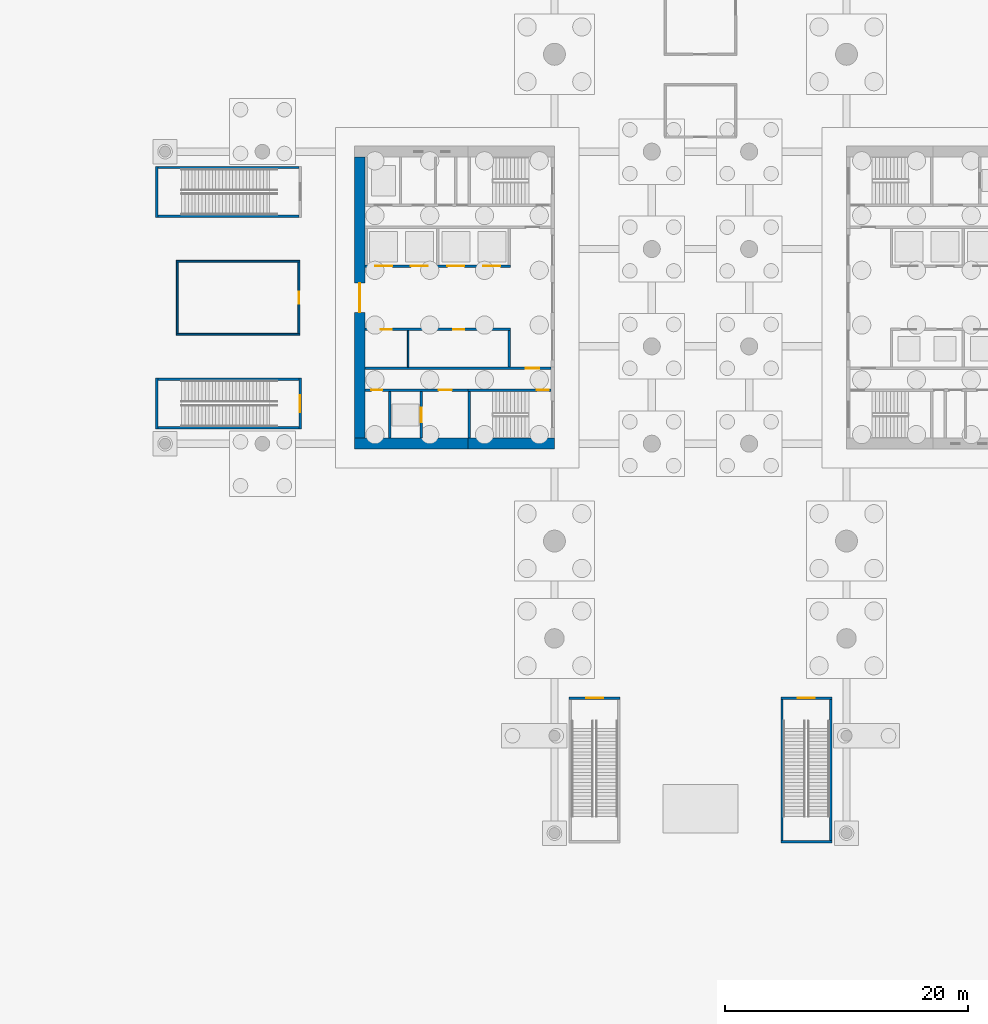
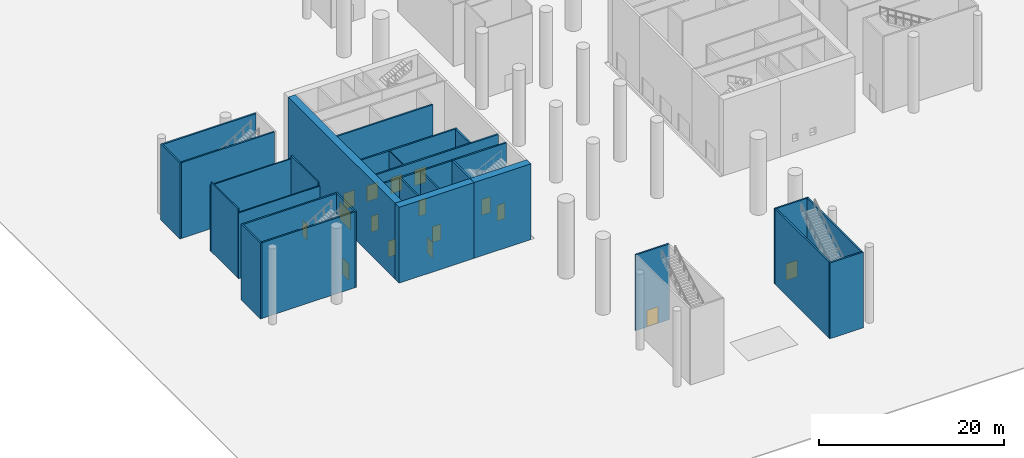
# One storey, part 4 of 14: 29 walls, 16 doors, 16 openings.
"""IFC4 building model written with IfcOpenShell, lengths in metres."""

from ifc_helpers import new_model, si_unit, direction, frame, frame_2d, origin, place, context, subcontext, project, spatial, rectangle, extrude, material, layer, layer_set, constituent, constituent_set, type_object, element, fill, save


model = new_model("IFC4")

# Units and contexts
model_context = context("Model", 3, precision=1e-05, world=origin(), true_north=direction((0.0, 1.0)))
body_context = subcontext(model_context, "Body", "Model", "MODEL_VIEW")
ifc_project = project(units=[si_unit("LENGTHUNIT", "METRE"), si_unit("AREAUNIT", "SQUARE_METRE"), si_unit("VOLUMEUNIT", "CUBIC_METRE"), si_unit("PLANEANGLEUNIT", "RADIAN"), si_unit("MASSUNIT", "GRAM", prefix="KILO")], contexts=[model_context])

# Site, building, storey
site_placement = place(None, origin())
site = spatial("IfcSite", under=ifc_project, at=site_placement, CompositionType="ELEMENT")
building_placement = place(site_placement, origin())
building = spatial("IfcBuilding", under=site, at=building_placement, Name="Crosswind Convention Tower", CompositionType="ELEMENT")
storey_placement = place(building_placement, origin())
storey = spatial("IfcBuildingStorey", under=building, at=storey_placement, Name="L00", CompositionType="ELEMENT", Elevation=0.0)

# Walls
ifc_material_1 = material(Name="Plasterboard partition", Category="gypsum")
ifc_layer_1 = layer(ifc_material_1, 0.14990234375)
ifc_layer_set_1 = layer_set([ifc_layer_1], Name="CORRIDOR WALL 150")
wall_type_1 = type_object("IfcWallType", Name="CORRIDOR WALL 150", PredefinedType="PARTITIONING", material=ifc_layer_set_1)
for number, where, z_axis, x_axis, name in (
    (1, (81.925048828125, 97.0, 0.0), (0.0, 0.0, 1.0), (1.0, 0.0, 0.0), "Corridor Wall 9"),
    (2, (81.925048828125, 103.0, 0.0), (0.0, 0.0, 1.0), (1.0, 0.0, 0.0), "Corridor Wall 11"),
):
    element("IfcWall", number, at=place(storey_placement, frame(where, z_axis=z_axis, x_axis=x_axis)), inside=storey, type_object=wall_type_1, Name=name, PredefinedType="PARTITIONING", context=body_context, shape_type="SweptSolid", body=[
        extrude(rectangle(XDim=10.14990234375, YDim=0.14990234375, at=frame_2d((5.074951171875, 0.0))), origin(), (0.0, 0.0, 1.0), 8.699951171875),
    ])
wall_1_placement = place(storey_placement, frame((82.0, 97.074951171875, 0.0), z_axis=(0.0, 0.0, 1.0), x_axis=(0.0, 1.0, 0.0)))
element("IfcWall", 3, at=wall_1_placement, inside=storey, type_object=wall_type_1, Name="Corridor Wall 27", PredefinedType="PARTITIONING", context=body_context, shape_type="SweptSolid", body=[
    extrude(rectangle(XDim=5.85009765625, YDim=0.14990234375, at=frame_2d((2.925048828125, 0.0))), origin(), (0.0, 0.0, 1.0), 9.139892578125),
])

# Wall, opening, door
wall_2_placement = place(storey_placement, frame((92.0, 97.074951171875, 0.0), z_axis=(0.0, 0.0, 1.0), x_axis=(0.0, 1.0, 0.0)))
wall_2 = element("IfcWall", 4, at=wall_2_placement, inside=storey, type_object=wall_type_1, Name="Corridor Wall 28", PredefinedType="PARTITIONING", context=body_context, shape_type="SweptSolid", body=[
    extrude(rectangle(XDim=5.85009765625, YDim=0.14990234375, at=frame_2d((2.925048828125, 0.0))), origin(), (0.0, 0.0, 1.0), 9.139892578125),
])
opening_1_placement = place(wall_2_placement, frame((2.425048828125, 0.0, 0.0)))
opening_1 = element("IfcOpeningElement", 5, at=opening_1_placement, cuts=wall_2, Name="Opening 00.005", PredefinedType="OPENING", context=body_context, shape_type="SweptSolid", body=[
    extrude(rectangle(XDim=1.0, YDim=2.10009765625, at=frame_2d((0.5, 1.050048828125))), frame((0.0, 0.0849609375, 0.0), z_axis=(0.0, -1.0, 0.0), x_axis=(1.0, 0.0, 0.0)), (0.0, 0.0, 1.0), 0.169921875),
])
ifc_material_2 = material(Name="Timber fire door", Category="wood")
door_type_1 = type_object("IfcDoorType", Name="MEETING ROOM DOOR 1000X2100", OperationType="NOTDEFINED", PredefinedType="DOOR", material=ifc_material_2)
door_1_placement = place(opening_1_placement, origin())
door_1 = element("IfcDoor", 6, at=door_1_placement, inside=storey, type_object=door_type_1, Name="Door 00.005", ObjectType="D13", OperationType="SINGLE_SWING_RIGHT", OverallHeight=2.10009765625, OverallWidth=1.0, PredefinedType="DOOR", context=body_context, shape_type="SweptSolid", body=[
    extrude(rectangle(XDim=1.0, YDim=2.10009765625, at=frame_2d((0.5, 1.050048828125))), frame((0.0, 0.02490234375, 0.0), z_axis=(0.0, -1.0, 0.0), x_axis=(1.0, 0.0, 0.0)), (0.0, 0.0, 1.0), 0.050048828125),
])
fill(opening_1, door_1)

# Wall
ifc_material_3 = material(Name="Concrete C50/60", Category="concrete")
ifc_layer_2 = layer(ifc_material_3, 0.199951171875)
ifc_layer_set_2 = layer_set([ifc_layer_2], Name="Concrete C50/60")
wall_type_2 = type_object("IfcWallType", Name="Concrete shaft and stair wall 200", PredefinedType="SHEAR", material=ifc_layer_set_2)
wall_3_placement = place(storey_placement, frame((109.300048828125, 97.300048828125, 0.0), z_axis=(0.0, 0.0, 1.0), x_axis=(0.0, -1.0, 0.0)))
element("IfcWall", 7, at=wall_3_placement, inside=storey, type_object=wall_type_2, Name="Wall RPEND W L00", PredefinedType="SHEAR", context=body_context, shape_type="SweptSolid", body=[
    extrude(rectangle(XDim=3.0, YDim=0.199951171875, at=frame_2d((1.5, 0.0))), origin(), (0.0, 0.0, 1.0), 10.0),
])

# Wall, openings, doors
wall_4_placement = place(storey_placement, frame((109.39990234375, 97.39990234375, 0.0), z_axis=(0.0, 0.0, 1.0), x_axis=(-1.0, 0.0, 0.0)))
wall_4 = element("IfcWall", 8, at=wall_4_placement, inside=storey, type_object=wall_type_2, Name="Wall RPFRONT W L00", PredefinedType="SHEAR", context=body_context, shape_type="SweptSolid", body=[
    extrude(rectangle(XDim=11.949951171875, YDim=0.199951171875, at=frame_2d((5.97509765625, 0.0))), origin(), (0.0, 0.0, 1.0), 10.0),
])
opening_2_placement = place(wall_4_placement, frame((3.831298828125, 0.0, 0.0)))
opening_2 = element("IfcOpeningElement", 9, at=opening_2_placement, cuts=wall_4, Name="Opening D106", PredefinedType="OPENING", context=body_context, shape_type="SweptSolid", body=[
    extrude(rectangle(XDim=0.89990234375, YDim=2.10009765625, at=frame_2d((0.449951171875, 1.050048828125))), frame((0.0, 0.10986328125, 0.0), z_axis=(0.0, -1.0, 0.0), x_axis=(1.0, 0.0, 0.0)), (0.0, 0.0, 1.0), 0.219970703125),
])
opening_3_placement = place(wall_4_placement, frame((9.768798828125, 0.0, 0.0)))
opening_3 = element("IfcOpeningElement", 10, at=opening_3_placement, cuts=wall_4, Name="Opening D106", PredefinedType="OPENING", context=body_context, shape_type="SweptSolid", body=[
    extrude(rectangle(XDim=0.89990234375, YDim=2.10009765625, at=frame_2d((0.449951171875, 1.050048828125))), frame((0.0, 0.10986328125, 0.0), z_axis=(0.0, -1.0, 0.0), x_axis=(1.0, 0.0, 0.0)), (0.0, 0.0, 1.0), 0.219970703125),
])
ifc_material_4 = material(Name="Timber door", Category="wood")
door_type_2 = type_object("IfcDoorType", Name="Single leaf door 900x2100", OperationType="NOTDEFINED", PredefinedType="DOOR", material=ifc_material_4)
door_2_placement = place(opening_2_placement, origin())
door_2 = element("IfcDoor", 11, at=door_2_placement, inside=storey, type_object=door_type_2, Name="Door to security room L00", ObjectType="D106", OperationType="SINGLE_SWING_RIGHT", OverallHeight=2.10009765625, OverallWidth=0.89990234375, PredefinedType="DOOR", context=body_context, shape_type="SweptSolid", body=[
    extrude(rectangle(XDim=0.89990234375, YDim=2.10009765625, at=frame_2d((0.449951171875, 1.050048828125))), frame((0.0, 0.02490234375, 0.0), z_axis=(0.0, -1.0, 0.0), x_axis=(1.0, 0.0, 0.0)), (0.0, 0.0, 1.0), 0.050048828125),
])
fill(opening_2, door_2)
door_3_placement = place(opening_3_placement, origin())
door_3 = element("IfcDoor", 12, at=door_3_placement, inside=storey, type_object=door_type_2, Name="Door to public wc L00", ObjectType="D106", OperationType="SINGLE_SWING_RIGHT", OverallHeight=2.10009765625, OverallWidth=0.89990234375, PredefinedType="DOOR", context=body_context, shape_type="SweptSolid", body=[
    extrude(rectangle(XDim=0.89990234375, YDim=2.10009765625, at=frame_2d((0.449951171875, 1.050048828125))), frame((0.0, 0.02490234375, 0.0), z_axis=(0.0, -1.0, 0.0), x_axis=(1.0, 0.0, 0.0)), (0.0, 0.0, 1.0), 0.050048828125),
])
fill(opening_3, door_3)

wall_5_placement = place(storey_placement, frame((109.39990234375, 102.60009765625, 0.0), z_axis=(0.0, 0.0, 1.0), x_axis=(-1.0, 0.0, 0.0)))
wall_5 = element("IfcWall", 13, at=wall_5_placement, inside=storey, type_object=wall_type_2, Name="Wall RMFRONT W L00", PredefinedType="SHEAR", context=body_context, shape_type="SweptSolid", body=[
    extrude(rectangle(XDim=11.949951171875, YDim=0.199951171875, at=frame_2d((5.97509765625, 0.0))), origin(), (0.0, 0.0, 1.0), 10.0),
])
opening_4_placement = place(wall_5_placement, frame((0.85009765625, 0.0, 0.0)))
opening_4 = element("IfcOpeningElement", 14, at=opening_4_placement, cuts=wall_5, Name="Opening LD2", PredefinedType="OPENING", context=body_context, shape_type="SweptSolid", body=[
    extrude(rectangle(XDim=1.39990234375, YDim=2.10009765625, at=frame_2d((0.699951171875, 1.050048828125))), frame((0.0, 0.10986328125, 0.0), z_axis=(0.0, -1.0, 0.0), x_axis=(1.0, 0.0, 0.0)), (0.0, 0.0, 1.0), 0.219970703125),
])
opening_5_placement = place(wall_5_placement, frame((3.800048828125, 0.0, 0.0)))
opening_5 = element("IfcOpeningElement", 15, at=opening_5_placement, cuts=wall_5, Name="Opening LD2", PredefinedType="OPENING", context=body_context, shape_type="SweptSolid", body=[
    extrude(rectangle(XDim=1.39990234375, YDim=2.10009765625, at=frame_2d((0.699951171875, 1.050048828125))), frame((0.0, 0.10986328125, 0.0), z_axis=(0.0, -1.0, 0.0), x_axis=(1.0, 0.0, 0.0)), (0.0, 0.0, 1.0), 0.219970703125),
])
opening_6_placement = place(wall_5_placement, frame((6.800048828125, 0.0, 0.0)))
opening_6 = element("IfcOpeningElement", 16, at=opening_6_placement, cuts=wall_5, Name="Opening LD2", PredefinedType="OPENING", context=body_context, shape_type="SweptSolid", body=[
    extrude(rectangle(XDim=1.39990234375, YDim=2.10009765625, at=frame_2d((0.699951171875, 1.050048828125))), frame((0.0, 0.10986328125, 0.0), z_axis=(0.0, -1.0, 0.0), x_axis=(1.0, 0.0, 0.0)), (0.0, 0.0, 1.0), 0.219970703125),
])
opening_7_placement = place(wall_5_placement, frame((9.72509765625, 0.0, 0.0)))
opening_7 = element("IfcOpeningElement", 17, at=opening_7_placement, cuts=wall_5, Name="Opening LD2", PredefinedType="OPENING", context=body_context, shape_type="SweptSolid", body=[
    extrude(rectangle(XDim=1.39990234375, YDim=2.10009765625, at=frame_2d((0.699951171875, 1.050048828125))), frame((0.0, 0.10986328125, 0.0), z_axis=(0.0, -1.0, 0.0), x_axis=(1.0, 0.0, 0.0)), (0.0, 0.0, 1.0), 0.219970703125),
])
ifc_material_5 = material(Name="Stainless steel", Category="steel")
door_type_3 = type_object("IfcDoorType", Name="Lift landing door 1400x2100", OperationType="DOUBLE_DOOR_SLIDING", PredefinedType="DOOR", material=ifc_material_5)
door_4_placement = place(opening_4_placement, origin())
door_4 = element("IfcDoor", 18, at=door_4_placement, inside=storey, type_object=door_type_3, Name="Landing door A5 L00", ObjectType="LD2", OperationType="DOUBLE_DOOR_SLIDING", OverallHeight=2.10009765625, OverallWidth=1.39990234375, PredefinedType="DOOR", context=body_context, shape_type="SweptSolid", body=[
    extrude(rectangle(XDim=1.39990234375, YDim=2.10009765625, at=frame_2d((0.699951171875, 1.050048828125))), frame((0.0, 0.02490234375, 0.0), z_axis=(0.0, -1.0, 0.0), x_axis=(1.0, 0.0, 0.0)), (0.0, 0.0, 1.0), 0.050048828125),
])
fill(opening_4, door_4)
door_5_placement = place(opening_5_placement, origin())
door_5 = element("IfcDoor", 19, at=door_5_placement, inside=storey, type_object=door_type_3, Name="Landing door A6 L00", ObjectType="LD2", OperationType="DOUBLE_DOOR_SLIDING", OverallHeight=2.10009765625, OverallWidth=1.39990234375, PredefinedType="DOOR", context=body_context, shape_type="SweptSolid", body=[
    extrude(rectangle(XDim=1.39990234375, YDim=2.10009765625, at=frame_2d((0.699951171875, 1.050048828125))), frame((0.0, 0.02490234375, 0.0), z_axis=(0.0, -1.0, 0.0), x_axis=(1.0, 0.0, 0.0)), (0.0, 0.0, 1.0), 0.050048828125),
])
fill(opening_5, door_5)
door_6_placement = place(opening_6_placement, origin())
door_6 = element("IfcDoor", 20, at=door_6_placement, inside=storey, type_object=door_type_3, Name="Landing door A7 L00", ObjectType="LD2", OperationType="DOUBLE_DOOR_SLIDING", OverallHeight=2.10009765625, OverallWidth=1.39990234375, PredefinedType="DOOR", context=body_context, shape_type="SweptSolid", body=[
    extrude(rectangle(XDim=1.39990234375, YDim=2.10009765625, at=frame_2d((0.699951171875, 1.050048828125))), frame((0.0, 0.02490234375, 0.0), z_axis=(0.0, -1.0, 0.0), x_axis=(1.0, 0.0, 0.0)), (0.0, 0.0, 1.0), 0.050048828125),
])
fill(opening_6, door_6)
door_7_placement = place(opening_7_placement, origin())
door_7 = element("IfcDoor", 21, at=door_7_placement, inside=storey, type_object=door_type_3, Name="Landing door A8 L00", ObjectType="LD2", OperationType="DOUBLE_DOOR_SLIDING", OverallHeight=2.10009765625, OverallWidth=1.39990234375, PredefinedType="DOOR", context=body_context, shape_type="SweptSolid", body=[
    extrude(rectangle(XDim=1.39990234375, YDim=2.10009765625, at=frame_2d((0.699951171875, 1.050048828125))), frame((0.0, 0.02490234375, 0.0), z_axis=(0.0, -1.0, 0.0), x_axis=(1.0, 0.0, 0.0)), (0.0, 0.0, 1.0), 0.050048828125),
])
fill(opening_7, door_7)

# Wall, opening, door
wall_6_placement = place(storey_placement, frame((112.699951171875, 94.199951171875, 0.0), z_axis=(0.0, 0.0, 1.0), x_axis=(-1.0, 0.0, 0.0)))
wall_6 = element("IfcWall", 22, at=wall_6_placement, inside=storey, type_object=wall_type_2, Name="Wall HP W L00", PredefinedType="SHEAR", context=body_context, shape_type="SweptSolid", body=[
    extrude(rectangle(XDim=15.25, YDim=0.199951171875, at=frame_2d((7.625, 0.0))), origin(), (0.0, 0.0, 1.0), 10.0),
])
opening_8_placement = place(wall_6_placement, frame((0.949951171875, 0.0, 0.0)))
opening_8 = element("IfcOpeningElement", 23, at=opening_8_placement, cuts=wall_6, Name="Opening D104", PredefinedType="OPENING", context=body_context, shape_type="SweptSolid", body=[
    extrude(rectangle(XDim=1.10009765625, YDim=2.10009765625, at=frame_2d((0.550048828125, 1.050048828125))), frame((0.0, 0.10986328125, 0.0), z_axis=(0.0, -1.0, 0.0), x_axis=(1.0, 0.0, 0.0)), (0.0, 0.0, 1.0), 0.219970703125),
])
ifc_material_6 = material(Name="Steel fire door", Category="steel")
door_type_4 = type_object("IfcDoorType", Name="Fire-rated single door 1100x2100", OperationType="NOTDEFINED", PredefinedType="DOOR", material=ifc_material_6)
door_8_placement = place(opening_8_placement, origin())
door_8 = element("IfcDoor", 24, at=door_8_placement, inside=storey, type_object=door_type_4, Name="Corridor door L00", ObjectType="D104", OperationType="SINGLE_SWING_LEFT", OverallHeight=2.10009765625, OverallWidth=1.10009765625, PredefinedType="DOOR", context=body_context, shape_type="SweptSolid", body=[
    extrude(rectangle(XDim=1.10009765625, YDim=2.10009765625, at=frame_2d((0.550048828125, 1.050048828125))), frame((0.0, 0.02490234375, 0.0), z_axis=(0.0, -1.0, 0.0), x_axis=(1.0, 0.0, 0.0)), (0.0, 0.0, 1.0), 0.050048828125),
])
fill(opening_8, door_8)

# Wall
wall_7_placement = place(storey_placement, frame((106.0, 92.300048828125, 0.0), z_axis=(0.0, 0.0, 1.0), x_axis=(0.0, -1.0, 0.0)))
element("IfcWall", 25, at=wall_7_placement, inside=storey, type_object=wall_type_2, Name="Wall PSE W L00", PredefinedType="SHEAR", context=body_context, shape_type="SweptSolid", body=[
    extrude(rectangle(XDim=3.85009765625, YDim=0.199951171875, at=frame_2d((1.925048828125, 0.0))), origin(), (0.0, 0.0, 1.0), 10.0),
])

# Wall, opening, door
wall_8_placement = place(storey_placement, frame((102.050048828125, 92.300048828125, 0.0), z_axis=(0.0, 0.0, 1.0), x_axis=(0.0, -1.0, 0.0)))
wall_8 = element("IfcWall", 26, at=wall_8_placement, inside=storey, type_object=wall_type_2, Name="Wall PFLW W L00", PredefinedType="SHEAR", context=body_context, shape_type="SweptSolid", body=[
    extrude(rectangle(XDim=3.85009765625, YDim=0.199951171875, at=frame_2d((1.925048828125, 0.0))), origin(), (0.0, 0.0, 1.0), 10.0),
])
opening_9_placement = place(wall_8_placement, frame((1.324951171875, 0.0, 0.0)))
opening_9 = element("IfcOpeningElement", 27, at=opening_9_placement, cuts=wall_8, Name="Opening LD1", PredefinedType="OPENING", context=body_context, shape_type="SweptSolid", body=[
    extrude(rectangle(XDim=1.199951171875, YDim=2.10009765625, at=frame_2d((0.60009765625, 1.050048828125))), frame((0.0, 0.10986328125, 0.0), z_axis=(0.0, -1.0, 0.0), x_axis=(1.0, 0.0, 0.0)), (0.0, 0.0, 1.0), 0.219970703125),
])
door_type_5 = type_object("IfcDoorType", Name="Lift landing door 1200x2100", OperationType="DOUBLE_DOOR_SLIDING", PredefinedType="DOOR", material=ifc_material_5)
door_9_placement = place(opening_9_placement, origin())
door_9 = element("IfcDoor", 28, at=door_9_placement, inside=storey, type_object=door_type_5, Name="Landing door FF2 L00", ObjectType="LD1", OperationType="DOUBLE_DOOR_SLIDING", OverallHeight=2.10009765625, OverallWidth=1.199951171875, PredefinedType="DOOR", context=body_context, shape_type="SweptSolid", body=[
    extrude(rectangle(XDim=1.199951171875, YDim=2.10009765625, at=frame_2d((0.60009765625, 1.050048828125))), frame((0.0, 0.02490234375, 0.0), z_axis=(0.0, -1.0, 0.0), x_axis=(1.0, 0.0, 0.0)), (0.0, 0.0, 1.0), 0.050048828125),
])
fill(opening_9, door_9)

# Wall
wall_9_placement = place(storey_placement, frame((99.449951171875, 92.300048828125, 0.0), z_axis=(0.0, 0.0, 1.0), x_axis=(0.0, -1.0, 0.0)))
element("IfcWall", 29, at=wall_9_placement, inside=storey, type_object=wall_type_2, Name="Wall PFSE W L00", PredefinedType="SHEAR", context=body_context, shape_type="SweptSolid", body=[
    extrude(rectangle(XDim=3.85009765625, YDim=0.199951171875, at=frame_2d((1.925048828125, 0.0))), origin(), (0.0, 0.0, 1.0), 10.0),
])

# Wall, opening, door
wall_10_placement = place(storey_placement, frame((112.699951171875, 92.39990234375, 0.0), z_axis=(0.0, 0.0, 1.0), x_axis=(-1.0, 0.0, 0.0)))
wall_10 = element("IfcWall", 30, at=wall_10_placement, inside=storey, type_object=wall_type_2, Name="Wall PCW W L00", PredefinedType="SHEAR", context=body_context, shape_type="SweptSolid", body=[
    extrude(rectangle(XDim=6.800048828125, YDim=0.199951171875, at=frame_2d((3.39990234375, 0.0))), origin(), (0.0, 0.0, 1.0), 10.0),
])
opening_10_placement = place(wall_10_placement, frame((0.14990234375, 0.0, 0.0)))
opening_10 = element("IfcOpeningElement", 31, at=opening_10_placement, cuts=wall_10, Name="Opening D103", PredefinedType="OPENING", context=body_context, shape_type="SweptSolid", body=[
    extrude(rectangle(XDim=1.0, YDim=2.10009765625, at=frame_2d((0.5, 1.050048828125))), frame((0.0, 0.10986328125, 0.0), z_axis=(0.0, -1.0, 0.0), x_axis=(1.0, 0.0, 0.0)), (0.0, 0.0, 1.0), 0.219970703125),
])
door_type_6 = type_object("IfcDoorType", Name="Fire-rated single door 1000x2100", OperationType="NOTDEFINED", PredefinedType="DOOR", material=ifc_material_6)
door_10_placement = place(opening_10_placement, origin())
door_10 = element("IfcDoor", 32, at=door_10_placement, inside=storey, type_object=door_type_6, Name="Stair ST3 door L00", ObjectType="D103", OperationType="SINGLE_SWING_LEFT", OverallHeight=2.10009765625, OverallWidth=1.0, PredefinedType="DOOR", context=body_context, shape_type="SweptSolid", body=[
    extrude(rectangle(XDim=1.0, YDim=2.10009765625, at=frame_2d((0.5, 1.050048828125))), frame((0.0, 0.02490234375, 0.0), z_axis=(0.0, -1.0, 0.0), x_axis=(1.0, 0.0, 0.0)), (0.0, 0.0, 1.0), 0.050048828125),
])
fill(opening_10, door_10)

# Wall, openings, doors
wall_11_placement = place(storey_placement, frame((105.89990234375, 92.39990234375, 0.0), z_axis=(0.0, 0.0, 1.0), x_axis=(-1.0, 0.0, 0.0)))
wall_11 = element("IfcWall", 33, at=wall_11_placement, inside=storey, type_object=wall_type_2, Name="Wall PCX W L00", PredefinedType="SHEAR", context=body_context, shape_type="SweptSolid", body=[
    extrude(rectangle(XDim=8.449951171875, YDim=0.199951171875, at=frame_2d((4.22509765625, 0.0))), origin(), (0.0, 0.0, 1.0), 10.0),
])
opening_11_placement = place(wall_11_placement, frame((1.324951171875, 0.0, 0.0)))
opening_11 = element("IfcOpeningElement", 34, at=opening_11_placement, cuts=wall_11, Name="Opening D104", PredefinedType="OPENING", context=body_context, shape_type="SweptSolid", body=[
    extrude(rectangle(XDim=1.10009765625, YDim=2.10009765625, at=frame_2d((0.550048828125, 1.050048828125))), frame((0.0, 0.10986328125, 0.0), z_axis=(0.0, -1.0, 0.0), x_axis=(1.0, 0.0, 0.0)), (0.0, 0.0, 1.0), 0.219970703125),
])
opening_12_placement = place(wall_11_placement, frame((7.050048828125, 0.0, 0.0)))
opening_12 = element("IfcOpeningElement", 35, at=opening_12_placement, cuts=wall_11, Name="Opening D106", PredefinedType="OPENING", context=body_context, shape_type="SweptSolid", body=[
    extrude(rectangle(XDim=0.89990234375, YDim=2.10009765625, at=frame_2d((0.449951171875, 1.050048828125))), frame((0.0, 0.10986328125, 0.0), z_axis=(0.0, -1.0, 0.0), x_axis=(1.0, 0.0, 0.0)), (0.0, 0.0, 1.0), 0.219970703125),
])
door_11_placement = place(opening_11_placement, origin())
door_11 = element("IfcDoor", 36, at=door_11_placement, inside=storey, type_object=door_type_4, Name="Fire-fighting lobby FF2 door L00", ObjectType="D104", OperationType="SINGLE_SWING_RIGHT", OverallHeight=2.10009765625, OverallWidth=1.10009765625, PredefinedType="DOOR", context=body_context, shape_type="SweptSolid", body=[
    extrude(rectangle(XDim=1.10009765625, YDim=2.10009765625, at=frame_2d((0.550048828125, 1.050048828125))), frame((0.0, 0.02490234375, 0.0), z_axis=(0.0, -1.0, 0.0), x_axis=(1.0, 0.0, 0.0)), (0.0, 0.0, 1.0), 0.050048828125),
])
fill(opening_11, door_11)
door_12_placement = place(opening_12_placement, origin())
door_12 = element("IfcDoor", 37, at=door_12_placement, inside=storey, type_object=door_type_2, Name="Door to fire command room L00", ObjectType="D106", OperationType="SINGLE_SWING_RIGHT", OverallHeight=2.10009765625, OverallWidth=0.89990234375, PredefinedType="DOOR", context=body_context, shape_type="SweptSolid", body=[
    extrude(rectangle(XDim=0.89990234375, YDim=2.10009765625, at=frame_2d((0.449951171875, 1.050048828125))), frame((0.0, 0.02490234375, 0.0), z_axis=(0.0, -1.0, 0.0), x_axis=(1.0, 0.0, 0.0)), (0.0, 0.0, 1.0), 0.050048828125),
])
fill(opening_12, door_12)

# Walls
ifc_material_7 = material(Name="Gypsum plasterboard partition", Category="gypsum")
ifc_layer_3 = layer(ifc_material_7, 0.125)
ifc_layer_set_3 = layer_set([ifc_layer_3], Name="Drywall partition wall 125")
wall_type_3 = type_object("IfcWallType", Name="Drywall partition wall 125", PredefinedType="PARTITIONING", material=ifc_layer_set_3)
wall_12_placement = place(storey_placement, frame((100.97509765625, 97.300048828125, 0.0), z_axis=(0.0, 0.0, 1.0), x_axis=(0.0, -1.0, 0.0)))
element("IfcWall", 38, at=wall_12_placement, inside=storey, type_object=wall_type_3, Name="Wall RPP1 W L00", PredefinedType="PARTITIONING", context=body_context, shape_type="SweptSolid", body=[
    extrude(rectangle(XDim=3.0, YDim=0.125, at=frame_2d((1.5, 0.0))), origin(), (0.0, 0.0, 1.0), 10.0),
])
ifc_material_8 = material(Name="Concrete C40/50", Category="concrete")
ifc_layer_4 = layer(ifc_material_8, 0.199951171875)
ifc_layer_set_4 = layer_set([ifc_layer_4], Name="Concrete C40/50")
wall_type_4 = type_object("IfcWallType", Name="STAIR ENCLOSURE WALL 200", PredefinedType="SOLIDWALL", material=ifc_layer_set_4)
wall_13_placement = place(storey_placement, frame((131.60009765625, 55.300048828125, 0.0), z_axis=(0.0, 0.0, 1.0), x_axis=(1.0, 0.0, 0.0)))
element("IfcWall", 39, at=wall_13_placement, inside=storey, type_object=wall_type_4, Name="Stair Enclosure Wall 2", PredefinedType="SOLIDWALL", context=body_context, shape_type="SweptSolid", body=[
    extrude(rectangle(XDim=4.199951171875, YDim=0.199951171875, at=frame_2d((2.10009765625, 0.0))), origin(), (0.0, 0.0, 1.0), 10.0),
])

# Wall, opening, door
wall_14_placement = place(storey_placement, frame((114.199951171875, 67.10009765625, 0.0), z_axis=(0.0, 0.0, 1.0), x_axis=(1.0, 0.0, 0.0)))
wall_14 = element("IfcWall", 40, at=wall_14_placement, inside=storey, type_object=wall_type_4, Name="Stair Enclosure Wall 3", PredefinedType="SOLIDWALL", context=body_context, shape_type="SweptSolid", body=[
    extrude(rectangle(XDim=4.199951171875, YDim=0.199951171875, at=frame_2d((2.10009765625, 0.0))), origin(), (0.0, 0.0, 1.0), 10.0),
])
opening_13_placement = place(wall_14_placement, frame((1.39990234375, 0.0, 0.0)))
opening_13 = element("IfcOpeningElement", 41, at=opening_13_placement, cuts=wall_14, Name="Opening 00.010", PredefinedType="OPENING", context=body_context, shape_type="SweptSolid", body=[
    extrude(rectangle(XDim=1.39990234375, YDim=2.199951171875, at=frame_2d((0.699951171875, 1.10009765625))), frame((0.0, 0.10986328125, 0.0), z_axis=(0.0, -1.0, 0.0), x_axis=(1.0, 0.0, 0.0)), (0.0, 0.0, 1.0), 0.219970703125),
])
door_type_7 = type_object("IfcDoorType", Name="STAIR DISCHARGE DOOR 1400X2200", OperationType="DOUBLE_DOOR_SINGLE_SWING", PredefinedType="DOOR", material=ifc_material_6)
door_13_placement = place(opening_13_placement, origin())
door_13 = element("IfcDoor", 42, at=door_13_placement, inside=storey, type_object=door_type_7, Name="Door 00.010", ObjectType="D11", OperationType="DOUBLE_DOOR_SINGLE_SWING", OverallHeight=2.199951171875, OverallWidth=1.39990234375, PredefinedType="DOOR", context=body_context, shape_type="SweptSolid", body=[
    extrude(rectangle(XDim=1.39990234375, YDim=2.199951171875, at=frame_2d((0.699951171875, 1.10009765625))), frame((0.0, 0.02490234375, 0.0), z_axis=(0.0, -1.0, 0.0), x_axis=(1.0, 0.0, 0.0)), (0.0, 0.0, 1.0), 0.050048828125),
])
fill(opening_13, door_13)

wall_15_placement = place(storey_placement, frame((131.60009765625, 67.10009765625, 0.0), z_axis=(0.0, 0.0, 1.0), x_axis=(1.0, 0.0, 0.0)))
wall_15 = element("IfcWall", 43, at=wall_15_placement, inside=storey, type_object=wall_type_4, Name="Stair Enclosure Wall 4", PredefinedType="SOLIDWALL", context=body_context, shape_type="SweptSolid", body=[
    extrude(rectangle(XDim=4.199951171875, YDim=0.199951171875, at=frame_2d((2.10009765625, 0.0))), origin(), (0.0, 0.0, 1.0), 10.0),
])
opening_14_placement = place(wall_15_placement, frame((1.39990234375, 0.0, 0.0)))
opening_14 = element("IfcOpeningElement", 44, at=opening_14_placement, cuts=wall_15, Name="Opening 00.011", PredefinedType="OPENING", context=body_context, shape_type="SweptSolid", body=[
    extrude(rectangle(XDim=1.39990234375, YDim=2.199951171875, at=frame_2d((0.699951171875, 1.10009765625))), frame((0.0, 0.10986328125, 0.0), z_axis=(0.0, -1.0, 0.0), x_axis=(1.0, 0.0, 0.0)), (0.0, 0.0, 1.0), 0.219970703125),
])
door_14_placement = place(opening_14_placement, origin())
door_14 = element("IfcDoor", 45, at=door_14_placement, inside=storey, type_object=door_type_7, Name="Door 00.011", ObjectType="D11", OperationType="DOUBLE_DOOR_SINGLE_SWING", OverallHeight=2.199951171875, OverallWidth=1.39990234375, PredefinedType="DOOR", context=body_context, shape_type="SweptSolid", body=[
    extrude(rectangle(XDim=1.39990234375, YDim=2.199951171875, at=frame_2d((0.699951171875, 1.10009765625))), frame((0.0, 0.02490234375, 0.0), z_axis=(0.0, -1.0, 0.0), x_axis=(1.0, 0.0, 0.0)), (0.0, 0.0, 1.0), 0.050048828125),
])
fill(opening_14, door_14)

# Walls
for number, where, z_axis, x_axis, name in (
    (46, (80.39990234375, 89.300048828125, 0.0), (0.0, 0.0, 1.0), (1.0, 0.0, 0.0), "Stair Enclosure Wall 5"),
    (47, (80.39990234375, 93.300048828125, 0.0), (0.0, 0.0, 1.0), (1.0, 0.0, 0.0), "Stair Enclosure Wall 7"),
    (48, (80.39990234375, 106.699951171875, 0.0), (0.0, 0.0, 1.0), (1.0, 0.0, 0.0), "Stair Enclosure Wall 13"),
    (49, (80.39990234375, 110.699951171875, 0.0), (0.0, 0.0, 1.0), (1.0, 0.0, 0.0), "Stair Enclosure Wall 15"),
):
    element("IfcWall", number, at=place(storey_placement, frame(where, z_axis=z_axis, x_axis=x_axis)), inside=storey, type_object=wall_type_4, Name=name, PredefinedType="SOLIDWALL", context=body_context, shape_type="SweptSolid", body=[
        extrude(rectangle(XDim=11.60009765625, YDim=0.199951171875, at=frame_2d((5.800048828125, 0.0))), origin(), (0.0, 0.0, 1.0), 10.0),
    ])
for number, where, z_axis, x_axis, name in (
    (50, (80.300048828125, 89.199951171875, 0.0), (0.0, 0.0, 1.0), (0.0, 1.0, 0.0), "Stair Enclosure Wall 25"),
    (51, (80.300048828125, 106.60009765625, 0.0), (0.0, 0.0, 1.0), (0.0, 1.0, 0.0), "Stair Enclosure Wall 26"),
):
    element("IfcWall", number, at=place(storey_placement, frame(where, z_axis=z_axis, x_axis=x_axis)), inside=storey, type_object=wall_type_4, Name=name, PredefinedType="SOLIDWALL", context=body_context, shape_type="SweptSolid", body=[
        extrude(rectangle(XDim=4.199951171875, YDim=0.199951171875, at=frame_2d((2.10009765625, 0.0))), origin(), (0.0, 0.0, 1.0), 10.0),
    ])

# Wall, opening, door
wall_16_placement = place(storey_placement, frame((92.10009765625, 89.199951171875, 0.0), z_axis=(0.0, 0.0, 1.0), x_axis=(0.0, 1.0, 0.0)))
wall_16 = element("IfcWall", 52, at=wall_16_placement, inside=storey, type_object=wall_type_4, Name="Stair Enclosure Wall 29", PredefinedType="SOLIDWALL", context=body_context, shape_type="SweptSolid", body=[
    extrude(rectangle(XDim=4.199951171875, YDim=0.199951171875, at=frame_2d((2.10009765625, 0.0))), origin(), (0.0, 0.0, 1.0), 10.0),
])
opening_15_placement = place(wall_16_placement, frame((1.39990234375, 0.0, 0.0)))
opening_15 = element("IfcOpeningElement", 53, at=opening_15_placement, cuts=wall_16, Name="Opening 00.012", PredefinedType="OPENING", context=body_context, shape_type="SweptSolid", body=[
    extrude(rectangle(XDim=1.39990234375, YDim=2.199951171875, at=frame_2d((0.699951171875, 1.10009765625))), frame((0.0, 0.10986328125, 0.0), z_axis=(0.0, -1.0, 0.0), x_axis=(1.0, 0.0, 0.0)), (0.0, 0.0, 1.0), 0.219970703125),
])
door_15_placement = place(opening_15_placement, frame((1.39990234375, 0.0, 0.0), z_axis=(0.0, 0.0, 1.0), x_axis=(-1.0, 0.0, 0.0)))
door_15 = element("IfcDoor", 54, at=door_15_placement, inside=storey, type_object=door_type_7, Name="Door 00.012", ObjectType="D11", OperationType="DOUBLE_DOOR_SINGLE_SWING", OverallHeight=2.199951171875, OverallWidth=1.39990234375, PredefinedType="DOOR", context=body_context, shape_type="SweptSolid", body=[
    extrude(rectangle(XDim=1.39990234375, YDim=2.199951171875, at=frame_2d((0.699951171875, 1.10009765625))), frame((0.0, 0.02490234375, 0.0), z_axis=(0.0, -1.0, 0.0), x_axis=(1.0, 0.0, 0.0)), (0.0, 0.0, 1.0), 0.050048828125),
])
fill(opening_15, door_15)

# Walls
for number, where, z_axis, x_axis, name in (
    (55, (131.699951171875, 55.39990234375, 0.0), (0.0, 0.0, 1.0), (0.0, 1.0, 0.0), "Stair Enclosure Wall 39"),
    (56, (135.699951171875, 55.39990234375, 0.0), (0.0, 0.0, 1.0), (0.0, 1.0, 0.0), "Stair Enclosure Wall 41"),
):
    element("IfcWall", number, at=place(storey_placement, frame(where, z_axis=z_axis, x_axis=x_axis)), inside=storey, type_object=wall_type_4, Name=name, PredefinedType="SOLIDWALL", context=body_context, shape_type="SweptSolid", body=[
        extrude(rectangle(XDim=11.60009765625, YDim=0.199951171875, at=frame_2d((5.800048828125, 0.0))), origin(), (0.0, 0.0, 1.0), 10.0),
    ])
ifc_material_9 = material(Name="Concrete C60/75", Category="concrete")
ifc_constituent_1 = constituent(ifc_material_9, Name="Structure")
ifc_material_10 = material(Name="Terracotta rainscreen", Category="ceramic")
ifc_constituent_2 = constituent(ifc_material_10, Name="Facing")
ifc_constituent_set = constituent_set(constituents=[ifc_constituent_1, ifc_constituent_2], Name="Concrete C60/75, Terracotta rainscreen")
wall_type_5 = type_object("IfcWallType", Name="Terracotta rainscreen on concrete core wall 900", PredefinedType="SHEAR", material=ifc_constituent_set)
wall_17_placement = place(storey_placement, frame((113.0, 88.0, 0.0), z_axis=(0.0, 0.0, 1.0), x_axis=(-1.0, 0.0, 0.0)))
element("IfcWall", 57, at=wall_17_placement, inside=storey, type_object=wall_type_5, Name="Wall N1 W L00", PredefinedType="SHEAR", context=body_context, shape_type="SweptSolid", body=[
    extrude(rectangle(XDim=7.10009765625, YDim=0.89990234375, at=frame_2d((3.550048828125, 0.0))), origin(), (0.0, 0.0, 1.0), 10.0),
])
wall_18_placement = place(storey_placement, frame((105.89990234375, 88.0, 0.0), z_axis=(0.0, 0.0, 1.0), x_axis=(-1.0, 0.0, 0.0)))
element("IfcWall", 58, at=wall_18_placement, inside=storey, type_object=wall_type_5, Name="Wall N2 W L00", PredefinedType="SHEAR", context=body_context, shape_type="SweptSolid", body=[
    extrude(rectangle(XDim=9.349853515625, YDim=0.89990234375, at=frame_2d((4.6748046875, 0.0))), origin(), (0.0, 0.0, 1.0), 10.0),
])

# Wall, opening, door
wall_19_placement = place(storey_placement, frame((97.0, 111.550048828125, 0.0), z_axis=(0.0, 0.0, 1.0), x_axis=(0.0, -1.0, 0.0)))
wall_19 = element("IfcWall", 59, at=wall_19_placement, inside=storey, type_object=wall_type_5, Name="Wall O W L00", PredefinedType="SHEAR", context=body_context, shape_type="SweptSolid", body=[
    extrude(rectangle(XDim=23.10009765625, YDim=0.89990234375, at=frame_2d((11.550048828125, 0.0))), origin(), (0.0, 0.0, 1.0), 10.0),
])
opening_16_placement = place(wall_19_placement, frame((10.35009765625, 0.0, 0.0)))
opening_16 = element("IfcOpeningElement", 60, at=opening_16_placement, cuts=wall_19, Name="Opening D100", PredefinedType="OPENING", context=body_context, shape_type="SweptSolid", body=[
    extrude(rectangle(XDim=2.39990234375, YDim=2.39990234375, at=frame_2d((1.199951171875, 1.199951171875))), frame((0.0, 0.4599609375, 0.0), z_axis=(0.0, -1.0, 0.0), x_axis=(1.0, 0.0, 0.0)), (0.0, 0.0, 1.0), 0.919921875),
])
ifc_material_11 = material(Name="Steel fire door with glazed vision panels", Category="steel")
door_type_8 = type_object("IfcDoorType", Name="Fire-rated double door 2400x2400", OperationType="DOUBLE_DOOR_SINGLE_SWING", PredefinedType="DOOR", material=ifc_material_11)
door_16_placement = place(opening_16_placement, frame((2.39990234375, 0.0, 0.0), z_axis=(0.0, 0.0, 1.0), x_axis=(-1.0, 0.0, 0.0)))
door_16 = element("IfcDoor", 61, at=door_16_placement, inside=storey, type_object=door_type_8, Name="Lobby outer door L00", ObjectType="D100", OperationType="DOUBLE_DOOR_SINGLE_SWING", OverallHeight=2.39990234375, OverallWidth=2.39990234375, PredefinedType="DOOR", context=body_context, shape_type="SweptSolid", body=[
    extrude(rectangle(XDim=2.39990234375, YDim=2.39990234375, at=frame_2d((1.199951171875, 1.199951171875))), frame((0.0, 0.02490234375, 0.0), z_axis=(0.0, -1.0, 0.0), x_axis=(1.0, 0.0, 0.0)), (0.0, 0.0, 1.0), 0.050048828125),
])
fill(opening_16, door_16)

save(model, "model.ifc")
